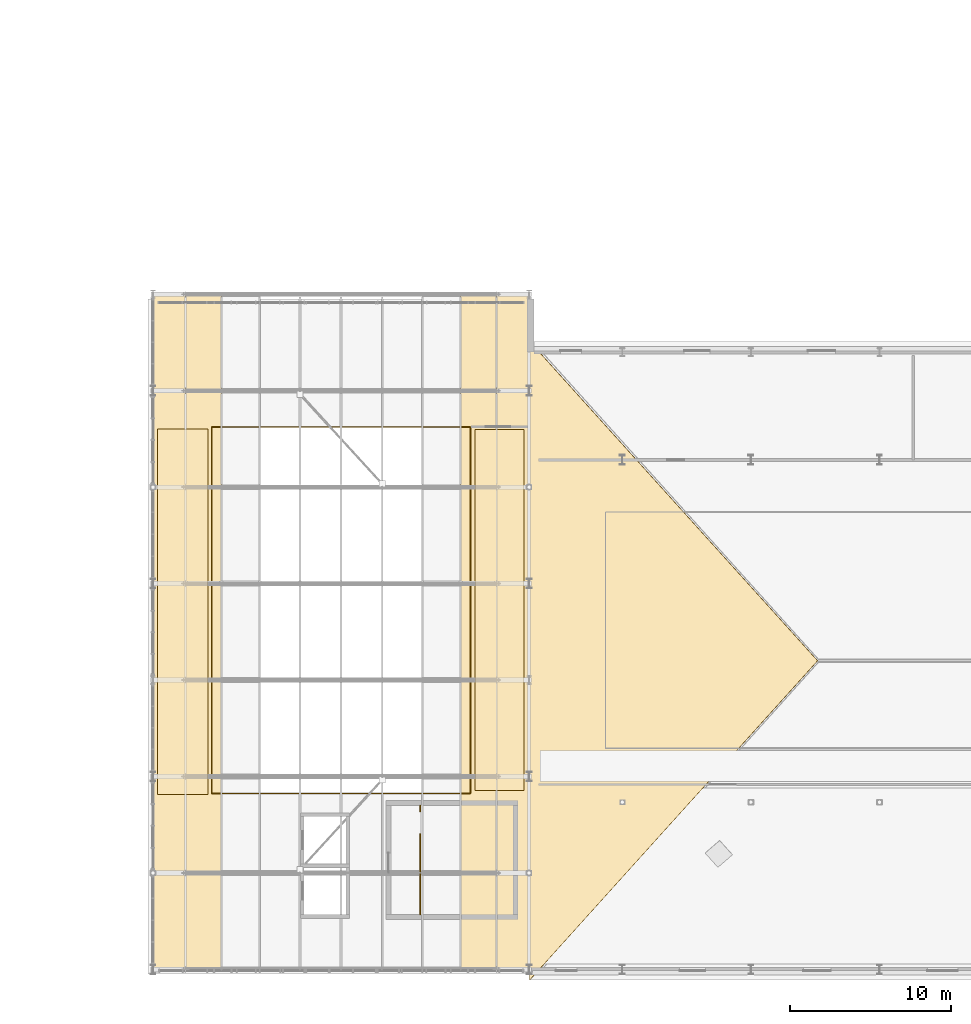
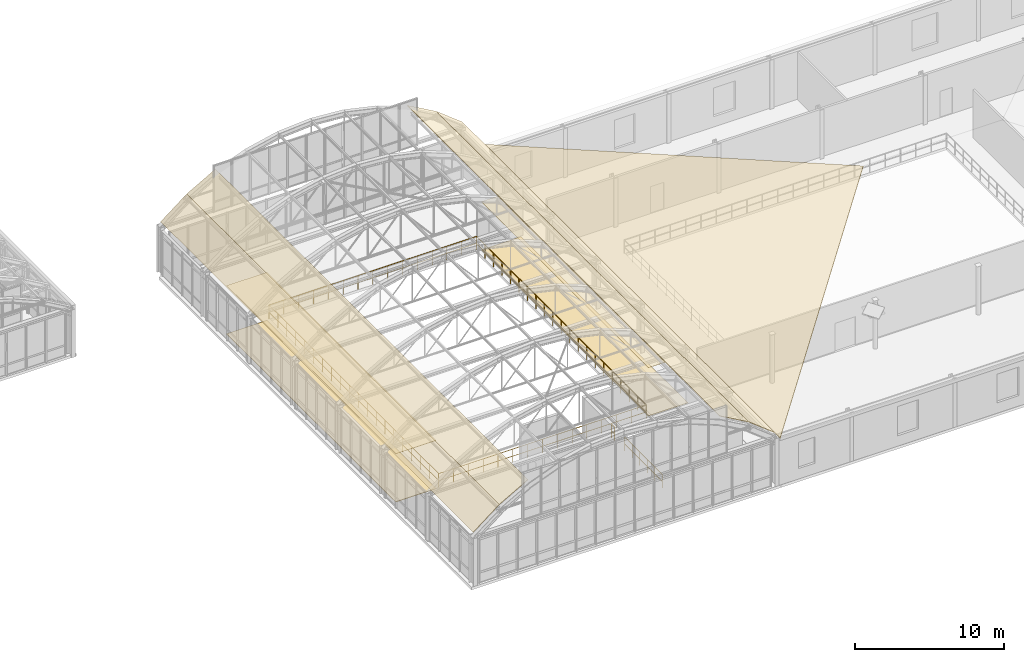
# One storey, part 141 of 148: 9 coverings, 4 railings.
"""IFC4 building model written with IfcOpenShell, lengths in metres."""

from ifc_helpers import new_model, si_unit, direction, frame, origin, origin_2d, place, context, subcontext, project, spatial, polyline, circle, outline, extrude, material, layer, layer_set, type_object, element, save


model = new_model("IFC4")

# Units and contexts
model_context = context("Model", 3, precision=1e-05, world=origin(), true_north=direction((0.0, 1.0)))
body_context = subcontext(model_context, "Body", "Model", "MODEL_VIEW")
ifc_project = project(units=[si_unit("LENGTHUNIT", "METRE"), si_unit("AREAUNIT", "SQUARE_METRE"), si_unit("VOLUMEUNIT", "CUBIC_METRE"), si_unit("PLANEANGLEUNIT", "RADIAN"), si_unit("MASSUNIT", "GRAM", prefix="KILO"), si_unit("THERMODYNAMICTEMPERATUREUNIT", "KELVIN"), si_unit("POWERUNIT", "WATT")], contexts=[model_context])

# Site, building, storey
site_placement = place(None, origin())
site = spatial("IfcSite", under=ifc_project, at=site_placement, CompositionType="ELEMENT")
building_placement = place(site_placement, origin())
building = spatial("IfcBuilding", under=site, at=building_placement, Name="Solvatero Civic Police Headquarters", CompositionType="ELEMENT")
storey_placement = place(building_placement, frame((0.0, 0.0, 5.10009765625)))
storey = spatial("IfcBuildingStorey", under=building, at=storey_placement, Name="L01", CompositionType="ELEMENT", Elevation=5.10009765625)

# Coverings
ifc_material_1 = material(Name="Mineral-Fibre Acoustic Tile", Category="gypsum")
ifc_layer_1 = layer(ifc_material_1, 0.02490234375)
ifc_layer_set_1 = layer_set([ifc_layer_1], Name="Mineral-Fibre Acoustic Tile")
covering_type_1 = type_object("IfcCoveringType", Name="COV-CEIL-AC", PredefinedType="CEILING", material=ifc_layer_set_1)
covering_1_placement = place(storey_placement, frame((0.0, 0.0, 3.954833984375)))
element("IfcCovering", 1, at=covering_1_placement, inside=storey, type_object=covering_type_1, Name="Acoustic Ceiling Public Hall West Mezzanine Gallery", PredefinedType="CEILING", context=body_context, shape_type="SweptSolid", body=[
    extrude(outline(polyline([(99.080078125, 15.679931640625), (99.080078125, 38.419921875), (102.219970703125, 38.419921875), (102.219970703125, 15.679931640625), (99.080078125, 15.679931640625)])), origin(), (0.0, 0.0, 1.0), 0.025146484375),
])
covering_2_placement = place(storey_placement, frame((0.0, 0.0, 3.954833984375)))
element("IfcCovering", 2, at=covering_2_placement, inside=storey, type_object=covering_type_1, Name="Acoustic Ceiling Public Hall East Citizen Advisory Suite", PredefinedType="CEILING", context=body_context, shape_type="SweptSolid", body=[
    extrude(outline(polyline([(118.820068359375, 15.919921875), (118.820068359375, 38.3798828125), (121.8798828125, 38.3798828125), (121.8798828125, 15.919921875), (118.820068359375, 15.919921875)])), origin(), (0.0, 0.0, 1.0), 0.025146484375),
])
ifc_material_2 = material(Name="Venetian Terrazzo Stone", Category="masonry")
ifc_layer_2 = layer(ifc_material_2, 0.034912109375)
ifc_layer_set_2 = layer_set([ifc_layer_2], Name="Venetian Terrazzo Stone")
covering_type_2 = type_object("IfcCoveringType", Name="COV-FLR-TER", PredefinedType="FLOORING", material=ifc_layer_set_2)
covering_3_placement = place(storey_placement, origin())
element("IfcCovering", 3, at=covering_3_placement, inside=storey, type_object=covering_type_2, Name="Flooring Public Hall West Mezzanine Gallery", PredefinedType="FLOORING", context=body_context, shape_type="SweptSolid", body=[
    extrude(outline(polyline([(99.080078125, 15.679931640625), (99.080078125, 38.419921875), (102.219970703125, 38.419921875), (102.219970703125, 15.679931640625), (99.080078125, 15.679931640625)])), origin(), (0.0, 0.0, 1.0), 0.034912109375),
])
covering_4_placement = place(storey_placement, origin())
element("IfcCovering", 4, at=covering_4_placement, inside=storey, type_object=covering_type_2, Name="Flooring Public Hall East Citizen Advisory Suite", PredefinedType="FLOORING", context=body_context, shape_type="SweptSolid", body=[
    extrude(outline(polyline([(118.820068359375, 15.919921875), (118.820068359375, 38.3798828125), (121.8798828125, 38.3798828125), (121.8798828125, 15.919921875), (118.820068359375, 15.919921875)])), origin(), (0.0, 0.0, 1.0), 0.034912109375),
])
ifc_material_3 = material(Name="Lombard Terracotta Clay Tile", Category="masonry")
ifc_layer_3 = layer(ifc_material_3, 0.06005859375)
ifc_layer_set_3 = layer_set([ifc_layer_3], Name="Lombard Terracotta Clay Tile")
covering_type_3 = type_object("IfcCoveringType", Name="COV-RF-TILE", PredefinedType="ROOFING", material=ifc_layer_set_3)
covering_5_placement = place(storey_placement, frame((122.239990234375, 43.860107421875, 4.169921875), z_axis=(-0.217450277163, 0.0, 0.976071399521), x_axis=(0.0, -1.0, 0.0)))
element("IfcCovering", 5, at=covering_5_placement, inside=storey, type_object=covering_type_3, Name="GYM Lombard Terracotta Hipped Roof Covering W", PredefinedType="ROOFING", context=body_context, shape_type="SweptSolid", body=[
    extrude(outline(polyline([(0.0, 0.0), (39.72021484375, 0.0), (19.860107421875, 18.34897746022773), (0.0, 0.0)])), origin(), (0.0, 0.0, -1.0), 0.06005859375),
])
ifc_material_4 = material(Name="Anodized Bronze Aluminium", Category="aluminium")
ifc_layer_4 = layer(ifc_material_4, 0.0400390625)
ifc_layer_set_4 = layer_set([ifc_layer_4], Name="Anodized Bronze Aluminium")
covering_type_4 = type_object("IfcCoveringType", Name="COV-RF-ZINC", PredefinedType="ROOFING", material=ifc_layer_set_4)
covering_6_placement = place(storey_placement, frame((98.800048828125, 4.800048828125, 4.239990234375), z_axis=(-0.61381525208, 0.0, 0.78944970474), x_axis=(0.78944970474, 0.0, 0.61381525208)))
element("IfcCovering", 6, at=covering_6_placement, inside=storey, type_object=covering_type_4, Name="VLT1 Standing-Seam Vault Roof Covering 1", PredefinedType="ROOFING", context=body_context, shape_type="SweptSolid", body=[
    extrude(outline(polyline([(0.0, 0.0), (2.5618616681427926, 0.0), (2.5618616681427926, 42.0), (0.0, 42.0), (0.0, 0.0)])), origin(), (0.0, 0.0, -1.0), 0.0400390625),
])
for number, where, z_axis, x_axis, name in (
    (7, (100.822509765625, 4.800048828125, 5.8125), (-0.491699261156, 0.0, 0.870765086908), (0.870765086908, 0.0, 0.491699261156), "VLT1 Standing-Seam Vault Roof Covering 2"),
    (8, (117.946533203125, 4.800048828125, 7.072265625), (0.491699261156, 0.0, 0.870765086908), (0.870765086908, 0.0, -0.491699261156), "VLT1 Standing-Seam Vault Roof Covering 9"),
):
    element("IfcCovering", number, at=place(storey_placement, frame(where, z_axis=z_axis, x_axis=x_axis)), inside=storey, type_object=covering_type_4, Name=name, PredefinedType="ROOFING", context=body_context, shape_type="SweptSolid", body=[
        extrude(outline(polyline([(0.0, 0.0), (2.5620653202476036, 0.0), (2.5620653202476036, 42.0), (0.0, 42.0), (0.0, 0.0)])), origin(), (0.0, 0.0, -1.0), 0.0400390625),
    ])
covering_7_placement = place(storey_placement, frame((120.177490234375, 4.800048828125, 5.8125), z_axis=(0.61381525208, 0.0, 0.78944970474), x_axis=(0.78944970474, 0.0, -0.61381525208)))
element("IfcCovering", 9, at=covering_7_placement, inside=storey, type_object=covering_type_4, Name="VLT1 Standing-Seam Vault Roof Covering 10", PredefinedType="ROOFING", context=body_context, shape_type="SweptSolid", body=[
    extrude(outline(polyline([(0.0, 0.0), (2.5618616681427926, 0.0), (2.5618616681427926, 42.0), (0.0, 42.0), (0.0, 0.0)])), origin(), (0.0, 0.0, -1.0), 0.0400390625),
])

# Railings
ifc_material_5 = material(Name="Anodized Bronze and Laminated Glass", Category="glass")
railing_type_1 = type_object("IfcRailingType", Name="RL-BAL-115", PredefinedType="BALUSTRADE", material=ifc_material_5)
railing_1_placement = place(storey_placement, frame((102.449951171875, 15.75, 0.0)))
element("IfcRailing", 10, at=railing_1_placement, inside=storey, type_object=railing_type_1, Name="L01 Double-Height Gallery Guardrail RL-VOID-L01-HAL SE", PredefinedType="BALUSTRADE", context=body_context, shape_type="SweptSolid", body=[
    extrude(circle(Radius=0.02392578125, at=origin_2d()), frame((0.0, 0.0, 1.1259765625), z_axis=(1.0, 0.0, 0.0), x_axis=(0.0, 1.0, 0.0)), (0.0, 0.0, 1.0), 16.10009765625),
    extrude(circle(Radius=0.02392578125, at=origin_2d()), frame((0.0, 0.0, 0.55078125), z_axis=(1.0, 0.0, 0.0), x_axis=(0.0, 1.0, 0.0)), (0.0, 0.0, 1.0), 16.10009765625),
    extrude(circle(Radius=0.02392578125, at=origin_2d()), frame((16.10009765625, 0.0, 1.1259765625), z_axis=(0.0, 1.0, 0.0), x_axis=(-1.0, 0.0, 0.0)), (0.0, 0.0, 1.0), 22.800048828125),
    extrude(circle(Radius=0.02392578125, at=origin_2d()), frame((16.10009765625, 0.0, 0.55078125), z_axis=(0.0, 1.0, 0.0), x_axis=(-1.0, 0.0, 0.0)), (0.0, 0.0, 1.0), 22.800048828125),
    extrude(circle(Radius=0.02099609375, at=origin_2d()), origin(), (0.0, 0.0, 1.0), 1.101806640625),
    extrude(circle(Radius=0.02099609375, at=origin_2d()), frame((1.14990234375, 0.0, 0.0)), (0.0, 0.0, 1.0), 1.101806640625),
    extrude(circle(Radius=0.02099609375, at=origin_2d()), frame((2.300048828125, 0.0, 0.0)), (0.0, 0.0, 1.0), 1.101806640625),
    extrude(circle(Radius=0.02099609375, at=origin_2d()), frame((3.449951171875, 0.0, 0.0)), (0.0, 0.0, 1.0), 1.101806640625),
    extrude(circle(Radius=0.02099609375, at=origin_2d()), frame((4.60009765625, 0.0, 0.0)), (0.0, 0.0, 1.0), 1.101806640625),
    extrude(circle(Radius=0.02099609375, at=origin_2d()), frame((5.75, 0.0, 0.0)), (0.0, 0.0, 1.0), 1.101806640625),
    extrude(circle(Radius=0.02099609375, at=origin_2d()), frame((6.900146484375, 0.0, 0.0)), (0.0, 0.0, 1.0), 1.101806640625),
    extrude(circle(Radius=0.02099609375, at=origin_2d()), frame((8.050048828125, 0.0, 0.0)), (0.0, 0.0, 1.0), 1.101806640625),
    extrude(circle(Radius=0.02099609375, at=origin_2d()), frame((9.199951171875, 0.0, 0.0)), (0.0, 0.0, 1.0), 1.101806640625),
    extrude(circle(Radius=0.02099609375, at=origin_2d()), frame((10.35009765625, 0.0, 0.0)), (0.0, 0.0, 1.0), 1.101806640625),
    extrude(circle(Radius=0.02099609375, at=origin_2d()), frame((11.5, 0.0, 0.0)), (0.0, 0.0, 1.0), 1.101806640625),
    extrude(circle(Radius=0.02099609375, at=origin_2d()), frame((12.650146484375, 0.0, 0.0)), (0.0, 0.0, 1.0), 1.101806640625),
    extrude(circle(Radius=0.02099609375, at=origin_2d()), frame((13.800048828125, 0.0, 0.0)), (0.0, 0.0, 1.0), 1.101806640625),
    extrude(circle(Radius=0.02099609375, at=origin_2d()), frame((14.9501953125, 0.0, 0.0)), (0.0, 0.0, 1.0), 1.101806640625),
    extrude(circle(Radius=0.02099609375, at=origin_2d()), frame((16.10009765625, 0.0, 0.0)), (0.0, 0.0, 1.0), 1.101806640625),
    extrude(circle(Radius=0.02099609375, at=origin_2d()), frame((16.10009765625, 1.139892578125, 0.0)), (0.0, 0.0, 1.0), 1.101806640625),
    extrude(circle(Radius=0.02099609375, at=origin_2d()), frame((16.10009765625, 2.280029296875, 0.0)), (0.0, 0.0, 1.0), 1.101806640625),
    extrude(circle(Radius=0.02099609375, at=origin_2d()), frame((16.10009765625, 3.419921875, 0.0)), (0.0, 0.0, 1.0), 1.101806640625),
    extrude(circle(Radius=0.02099609375, at=origin_2d()), frame((16.10009765625, 4.56005859375, 0.0)), (0.0, 0.0, 1.0), 1.101806640625),
    extrude(circle(Radius=0.02099609375, at=origin_2d()), frame((16.10009765625, 5.699951171875, 0.0)), (0.0, 0.0, 1.0), 1.101806640625),
    extrude(circle(Radius=0.02099609375, at=origin_2d()), frame((16.10009765625, 6.840087890625, 0.0)), (0.0, 0.0, 1.0), 1.101806640625),
    extrude(circle(Radius=0.02099609375, at=origin_2d()), frame((16.10009765625, 7.97998046875, 0.0)), (0.0, 0.0, 1.0), 1.101806640625),
    extrude(circle(Radius=0.02099609375, at=origin_2d()), frame((16.10009765625, 9.1201171875, 0.0)), (0.0, 0.0, 1.0), 1.101806640625),
    extrude(circle(Radius=0.02099609375, at=origin_2d()), frame((16.10009765625, 10.260009765625, 0.0)), (0.0, 0.0, 1.0), 1.101806640625),
    extrude(circle(Radius=0.02099609375, at=origin_2d()), frame((16.10009765625, 11.39990234375, 0.0)), (0.0, 0.0, 1.0), 1.101806640625),
    extrude(circle(Radius=0.02099609375, at=origin_2d()), frame((16.10009765625, 12.5400390625, 0.0)), (0.0, 0.0, 1.0), 1.101806640625),
    extrude(circle(Radius=0.02099609375, at=origin_2d()), frame((16.10009765625, 13.679931640625, 0.0)), (0.0, 0.0, 1.0), 1.101806640625),
    extrude(circle(Radius=0.02099609375, at=origin_2d()), frame((16.10009765625, 14.820068359375, 0.0)), (0.0, 0.0, 1.0), 1.101806640625),
    extrude(circle(Radius=0.02099609375, at=origin_2d()), frame((16.10009765625, 15.9599609375, 0.0)), (0.0, 0.0, 1.0), 1.101806640625),
    extrude(circle(Radius=0.02099609375, at=origin_2d()), frame((16.10009765625, 17.10009765625, 0.0)), (0.0, 0.0, 1.0), 1.101806640625),
    extrude(circle(Radius=0.02099609375, at=origin_2d()), frame((16.10009765625, 18.239990234375, 0.0)), (0.0, 0.0, 1.0), 1.101806640625),
    extrude(circle(Radius=0.02099609375, at=origin_2d()), frame((16.10009765625, 19.380126953125, 0.0)), (0.0, 0.0, 1.0), 1.101806640625),
    extrude(circle(Radius=0.02099609375, at=origin_2d()), frame((16.10009765625, 20.52001953125, 0.0)), (0.0, 0.0, 1.0), 1.101806640625),
    extrude(circle(Radius=0.02099609375, at=origin_2d()), frame((16.10009765625, 21.66015625, 0.0)), (0.0, 0.0, 1.0), 1.101806640625),
    extrude(circle(Radius=0.02099609375, at=origin_2d()), frame((16.10009765625, 22.800048828125, 0.0)), (0.0, 0.0, 1.0), 1.101806640625),
])
railing_2_placement = place(storey_placement, frame((118.550048828125, 38.550048828125, 0.0)))
element("IfcRailing", 11, at=railing_2_placement, inside=storey, type_object=railing_type_1, Name="L01 Double-Height Gallery Guardrail RL-VOID-L01-HAL NW", PredefinedType="BALUSTRADE", context=body_context, shape_type="SweptSolid", body=[
    extrude(circle(Radius=0.02392578125, at=origin_2d()), frame((0.0, 0.0, 1.1259765625), z_axis=(-1.0, 0.0, 0.0), x_axis=(0.0, -1.0, 0.0)), (0.0, 0.0, 1.0), 16.10009765625),
    extrude(circle(Radius=0.02392578125, at=origin_2d()), frame((0.0, 0.0, 0.55078125), z_axis=(-1.0, 0.0, 0.0), x_axis=(0.0, -1.0, 0.0)), (0.0, 0.0, 1.0), 16.10009765625),
    extrude(circle(Radius=0.02392578125, at=origin_2d()), frame((-16.10009765625, 0.0, 1.1259765625), z_axis=(0.0, -1.0, 0.0), x_axis=(1.0, 0.0, 0.0)), (0.0, 0.0, 1.0), 22.780029296875),
    extrude(circle(Radius=0.02392578125, at=origin_2d()), frame((-16.10009765625, 0.0, 0.55078125), z_axis=(0.0, -1.0, 0.0), x_axis=(1.0, 0.0, 0.0)), (0.0, 0.0, 1.0), 22.780029296875),
    extrude(circle(Radius=0.02099609375, at=origin_2d()), origin(), (0.0, 0.0, 1.0), 1.101806640625),
    extrude(circle(Radius=0.02099609375, at=origin_2d()), frame((-1.14990234375, 0.0, 0.0)), (0.0, 0.0, 1.0), 1.101806640625),
    extrude(circle(Radius=0.02099609375, at=origin_2d()), frame((-2.300048828125, 0.0, 0.0)), (0.0, 0.0, 1.0), 1.101806640625),
    extrude(circle(Radius=0.02099609375, at=origin_2d()), frame((-3.449951171875, 0.0, 0.0)), (0.0, 0.0, 1.0), 1.101806640625),
    extrude(circle(Radius=0.02099609375, at=origin_2d()), frame((-4.60009765625, 0.0, 0.0)), (0.0, 0.0, 1.0), 1.101806640625),
    extrude(circle(Radius=0.02099609375, at=origin_2d()), frame((-5.75, 0.0, 0.0)), (0.0, 0.0, 1.0), 1.101806640625),
    extrude(circle(Radius=0.02099609375, at=origin_2d()), frame((-6.900146484375, 0.0, 0.0)), (0.0, 0.0, 1.0), 1.101806640625),
    extrude(circle(Radius=0.02099609375, at=origin_2d()), frame((-8.050048828125, 0.0, 0.0)), (0.0, 0.0, 1.0), 1.101806640625),
    extrude(circle(Radius=0.02099609375, at=origin_2d()), frame((-9.199951171875, 0.0, 0.0)), (0.0, 0.0, 1.0), 1.101806640625),
    extrude(circle(Radius=0.02099609375, at=origin_2d()), frame((-10.35009765625, 0.0, 0.0)), (0.0, 0.0, 1.0), 1.101806640625),
    extrude(circle(Radius=0.02099609375, at=origin_2d()), frame((-11.5, 0.0, 0.0)), (0.0, 0.0, 1.0), 1.101806640625),
    extrude(circle(Radius=0.02099609375, at=origin_2d()), frame((-12.650146484375, 0.0, 0.0)), (0.0, 0.0, 1.0), 1.101806640625),
    extrude(circle(Radius=0.02099609375, at=origin_2d()), frame((-13.800048828125, 0.0, 0.0)), (0.0, 0.0, 1.0), 1.101806640625),
    extrude(circle(Radius=0.02099609375, at=origin_2d()), frame((-14.9501953125, 0.0, 0.0)), (0.0, 0.0, 1.0), 1.101806640625),
    extrude(circle(Radius=0.02099609375, at=origin_2d()), frame((-16.10009765625, 0.0, 0.0)), (0.0, 0.0, 1.0), 1.101806640625),
    extrude(circle(Radius=0.02099609375, at=origin_2d()), frame((-16.10009765625, -1.198974609375, 0.0)), (0.0, 0.0, 1.0), 1.101806640625),
    extrude(circle(Radius=0.02099609375, at=origin_2d()), frame((-16.10009765625, -2.39794921875, 0.0)), (0.0, 0.0, 1.0), 1.101806640625),
    extrude(circle(Radius=0.02099609375, at=origin_2d()), frame((-16.10009765625, -3.596923828125, 0.0)), (0.0, 0.0, 1.0), 1.101806640625),
    extrude(circle(Radius=0.02099609375, at=origin_2d()), frame((-16.10009765625, -4.7958984375, 0.0)), (0.0, 0.0, 1.0), 1.101806640625),
    extrude(circle(Radius=0.02099609375, at=origin_2d()), frame((-16.10009765625, -5.99462890625, 0.0)), (0.0, 0.0, 1.0), 1.101806640625),
    extrude(circle(Radius=0.02099609375, at=origin_2d()), frame((-16.10009765625, -7.193603515625, 0.0)), (0.0, 0.0, 1.0), 1.101806640625),
    extrude(circle(Radius=0.02099609375, at=origin_2d()), frame((-16.10009765625, -8.392578125, 0.0)), (0.0, 0.0, 1.0), 1.101806640625),
    extrude(circle(Radius=0.02099609375, at=origin_2d()), frame((-16.10009765625, -9.591552734375, 0.0)), (0.0, 0.0, 1.0), 1.101806640625),
    extrude(circle(Radius=0.02099609375, at=origin_2d()), frame((-16.10009765625, -10.79052734375, 0.0)), (0.0, 0.0, 1.0), 1.101806640625),
    extrude(circle(Radius=0.02099609375, at=origin_2d()), frame((-16.10009765625, -11.989501953125, 0.0)), (0.0, 0.0, 1.0), 1.101806640625),
    extrude(circle(Radius=0.02099609375, at=origin_2d()), frame((-16.10009765625, -13.1884765625, 0.0)), (0.0, 0.0, 1.0), 1.101806640625),
    extrude(circle(Radius=0.02099609375, at=origin_2d()), frame((-16.10009765625, -14.387451171875, 0.0)), (0.0, 0.0, 1.0), 1.101806640625),
    extrude(circle(Radius=0.02099609375, at=origin_2d()), frame((-16.10009765625, -15.58642578125, 0.0)), (0.0, 0.0, 1.0), 1.101806640625),
    extrude(circle(Radius=0.02099609375, at=origin_2d()), frame((-16.10009765625, -16.785400390625, 0.0)), (0.0, 0.0, 1.0), 1.101806640625),
    extrude(circle(Radius=0.02099609375, at=origin_2d()), frame((-16.10009765625, -17.984130859375, 0.0)), (0.0, 0.0, 1.0), 1.101806640625),
    extrude(circle(Radius=0.02099609375, at=origin_2d()), frame((-16.10009765625, -19.18310546875, 0.0)), (0.0, 0.0, 1.0), 1.101806640625),
    extrude(circle(Radius=0.02099609375, at=origin_2d()), frame((-16.10009765625, -20.382080078125, 0.0)), (0.0, 0.0, 1.0), 1.101806640625),
    extrude(circle(Radius=0.02099609375, at=origin_2d()), frame((-16.10009765625, -21.5810546875, 0.0)), (0.0, 0.0, 1.0), 1.101806640625),
    extrude(circle(Radius=0.02099609375, at=origin_2d()), frame((-16.10009765625, -22.780029296875, 0.0)), (0.0, 0.0, 1.0), 1.101806640625),
])
ifc_material_6 = material(Name="Painted Galvanized Steel", Category="steel")
railing_type_2 = type_object("IfcRailingType", Name="RL-GRD-110", PredefinedType="GUARDRAIL", material=ifc_material_6)
railing_3_placement = place(storey_placement, frame((115.429931640625, 8.2099609375, 0.0)))
element("IfcRailing", 12, at=railing_3_placement, inside=storey, type_object=railing_type_2, Name="ST-C5 Top Landing Well Guardrail", PredefinedType="GUARDRAIL", context=body_context, shape_type="SweptSolid", body=[
    extrude(circle(Radius=0.02392578125, at=origin_2d()), frame((0.0, 0.0, 1.09619140625), z_axis=(0.0, 1.0, 0.0), x_axis=(-1.0, 0.0, 0.0)), (0.0, 0.0, 1.0), 5.010009765625),
    extrude(circle(Radius=0.02392578125, at=origin_2d()), frame((0.0, 0.0, 0.5361328125), z_axis=(0.0, 1.0, 0.0), x_axis=(-1.0, 0.0, 0.0)), (0.0, 0.0, 1.0), 5.010009765625),
    extrude(circle(Radius=0.02099609375, at=origin_2d()), origin(), (0.0, 0.0, 1.0), 1.072021484375),
    extrude(circle(Radius=0.02099609375, at=origin_2d()), frame((0.0, 1.001953125, 0.0)), (0.0, 0.0, 1.0), 1.072021484375),
    extrude(circle(Radius=0.02099609375, at=origin_2d()), frame((0.0, 2.00390625, 0.0)), (0.0, 0.0, 1.0), 1.072021484375),
    extrude(circle(Radius=0.02099609375, at=origin_2d()), frame((0.0, 3.006103515625, 0.0)), (0.0, 0.0, 1.0), 1.072021484375),
    extrude(circle(Radius=0.02099609375, at=origin_2d()), frame((0.0, 4.008056640625, 0.0)), (0.0, 0.0, 1.0), 1.072021484375),
    extrude(circle(Radius=0.02099609375, at=origin_2d()), frame((0.0, 5.010009765625, 0.0)), (0.0, 0.0, 1.0), 1.072021484375),
])
railing_4_placement = place(storey_placement, frame((115.429931640625, 14.6298828125, 0.0)))
element("IfcRailing", 13, at=railing_4_placement, inside=storey, type_object=railing_type_2, Name="ST-C5 Top Landing North Slot Guardrail", PredefinedType="GUARDRAIL", context=body_context, shape_type="SweptSolid", body=[
    extrude(circle(Radius=0.02392578125, at=origin_2d()), frame((0.0, 0.0, 1.09619140625), z_axis=(0.0, 1.0, 0.0), x_axis=(-1.0, 0.0, 0.0)), (0.0, 0.0, 1.0), 0.360107421875),
    extrude(circle(Radius=0.02392578125, at=origin_2d()), frame((0.0, 0.0, 0.5361328125), z_axis=(0.0, 1.0, 0.0), x_axis=(-1.0, 0.0, 0.0)), (0.0, 0.0, 1.0), 0.360107421875),
    extrude(circle(Radius=0.02099609375, at=origin_2d()), origin(), (0.0, 0.0, 1.0), 1.072021484375),
    extrude(circle(Radius=0.02099609375, at=origin_2d()), frame((0.0, 0.360107421875, 0.0)), (0.0, 0.0, 1.0), 1.072021484375),
])

save(model, "model.ifc")
